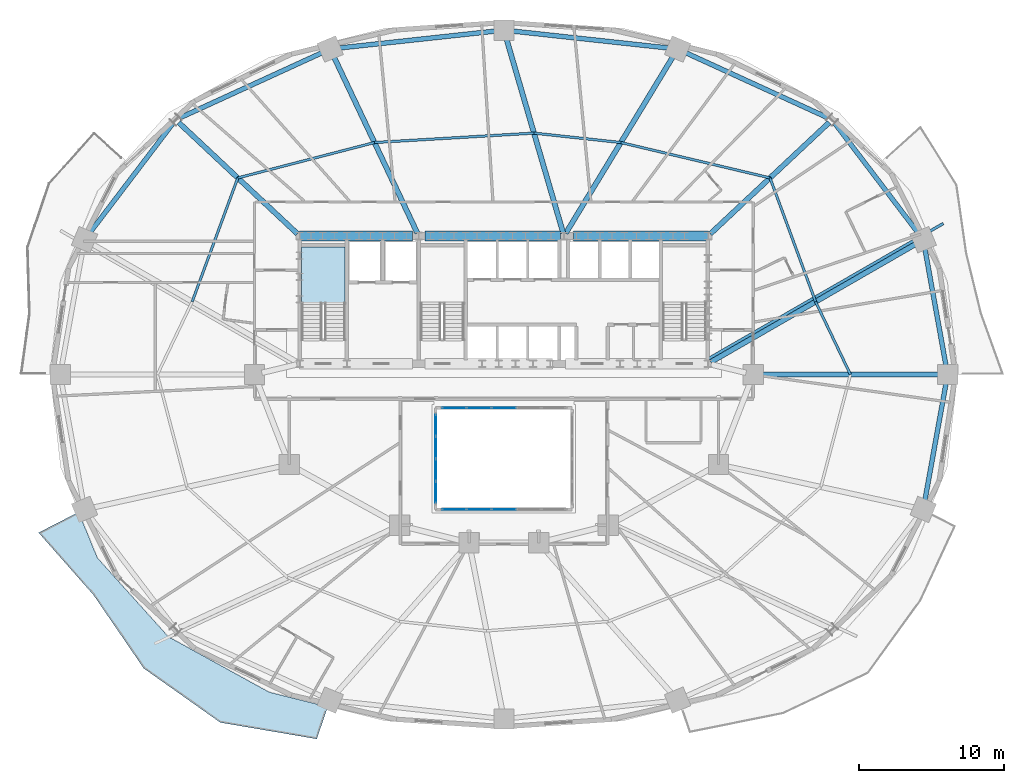
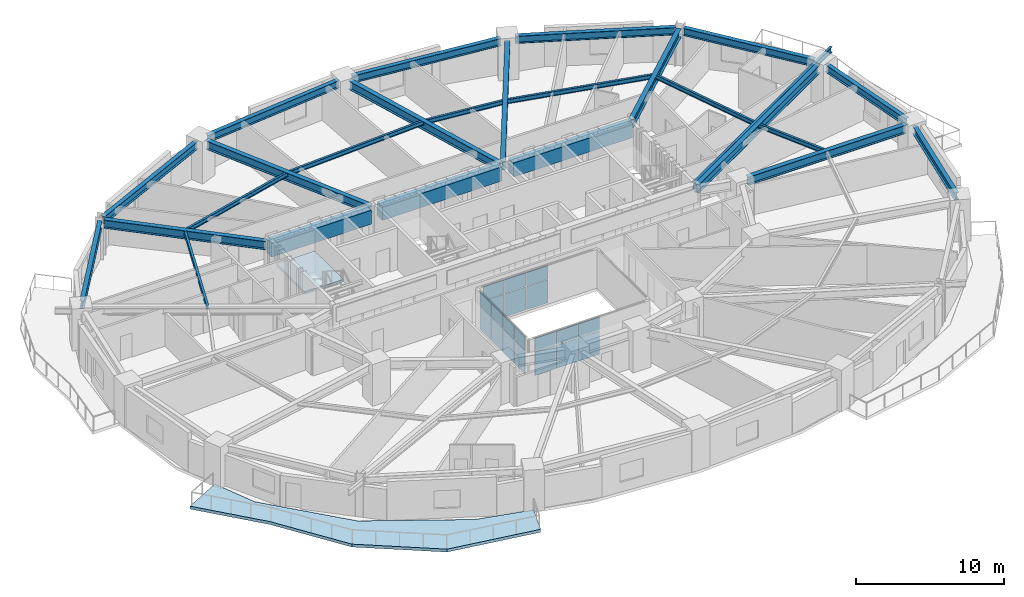
# One storey, part 7 of 17: 26 beams, 20 plates, 2 slabs, 4 elements without a shape of their own.
"""IFC4 building model written with IfcOpenShell, lengths in metres."""

import ifcopenshell
import ifcopenshell.guid

model = None  # the IFC model being written
_history = None  # IfcOwnerHistory: only IFC2X3 demands one
_inside = {}  # id of a spatial element -> (the spatial element, [elements in it])
_under = {}  # id of a project, library or spatial element -> (it, [spatial elements below it])
_declared = {}  # id of a project -> (the project, [libraries it declares])
_typed = {}  # id of a type object -> (the type object, [elements of that type])
_made_of = {}  # id of a material, layer set ... -> (it, [elements and type objects made of it])


def new_model(schema):
    """Start an empty IFC model of exactly this schema.

    Asked for "IFC4X3", IfcOpenShell would pick the latest addendum, in which some entities
    have other attributes; the version numbers below select the first issue.
    IFC2X3 requires an IfcOwnerHistory on every rooted entity: one is made here for all.
    """
    global model, _history
    if schema == "IFC4X3":
        model = ifcopenshell.file(schema_version=(4, 3, 0, 0))
    else:
        model = ifcopenshell.file(schema=schema)
    _inside.clear()
    _under.clear()
    _declared.clear()
    _typed.clear()
    _made_of.clear()
    _history = None
    if model.schema == "IFC2X3":
        org = make("IfcOrganization", Name="unknown")
        user = make(
            "IfcPersonAndOrganization",
            ThePerson=make("IfcPerson", FamilyName="unknown"),
            TheOrganization=org,
        )
        app = make(
            "IfcApplication",
            ApplicationDeveloper=org,
            Version="unknown",
            ApplicationFullName="unknown",
            ApplicationIdentifier="unknown",
        )
        _history = make(
            "IfcOwnerHistory",
            OwningUser=user,
            OwningApplication=app,
            ChangeAction="ADDED",
            CreationDate=0,
        )
    return model


def make(cls, **values):
    """One entity of the class cls with the attributes given. An attribute that is None is left unset."""
    return model.create_entity(
        cls, **{name: value for name, value in values.items() if value is not None}
    )


def rooted(cls, **values):
    """An entity with a GlobalId (a new one), such as an element, a storey or a relation."""
    return make(cls, GlobalId=ifcopenshell.guid.new(), OwnerHistory=_history, **values)


def si_unit(unit_type, name, prefix=None):
    """IfcSIUnit, for example si_unit("LENGTHUNIT", "METRE", prefix="MILLI")."""
    return make("IfcSIUnit", UnitType=unit_type, Prefix=prefix, Name=name)


def assignment(units):
    """IfcUnitAssignment: the units of a project."""
    return None if units is None else make("IfcUnitAssignment", Units=units)


def point(xyz):
    """IfcCartesianPoint."""
    return None if xyz is None else make("IfcCartesianPoint", Coordinates=xyz)


def direction(xyz):
    """IfcDirection."""
    return None if xyz is None else make("IfcDirection", DirectionRatios=xyz)


def frame(location, z_axis=None, x_axis=None):
    """IfcAxis2Placement3D, a coordinate frame: its origin and axes. An axis left out is left unset."""
    return make(
        "IfcAxis2Placement3D",
        Location=point(location),
        Axis=direction(z_axis),
        RefDirection=direction(x_axis),
    )


def frame_2d(location, x_axis=None):
    """IfcAxis2Placement2D, a coordinate frame in the plane: its origin and x axis."""
    return make(
        "IfcAxis2Placement2D", Location=point(location), RefDirection=direction(x_axis)
    )


def origin():
    """The frame at (0, 0, 0) with its axes left unset."""
    return frame((0.0, 0.0, 0.0))


def origin_2d():
    """The frame at (0, 0) in the plane with its x axis left unset."""
    return frame_2d((0.0, 0.0))


def place(relative_to, where):
    """IfcLocalPlacement: puts the frame where relative to a parent placement (None: the world)."""
    return make(
        "IfcLocalPlacement", PlacementRelTo=relative_to, RelativePlacement=where
    )


def context(
    kind, dimensions, precision=None, world=None, true_north=None, identifier=None
):
    """IfcGeometricRepresentationContext, for example the 3D "Model" context."""
    return make(
        "IfcGeometricRepresentationContext",
        ContextIdentifier=identifier,
        ContextType=kind,
        CoordinateSpaceDimension=dimensions,
        Precision=precision,
        WorldCoordinateSystem=world,
        TrueNorth=true_north,
    )


def subcontext(parent, identifier, kind, view, scale=None):
    """IfcGeometricRepresentationSubContext, for example "Body" below "Model"."""
    return make(
        "IfcGeometricRepresentationSubContext",
        ContextIdentifier=identifier,
        ContextType=kind,
        ParentContext=parent,
        TargetScale=scale,
        TargetView=view,
    )


def project(units=None, contexts=None):
    """IfcProject with its units and contexts."""
    return rooted(
        "IfcProject",
        Name="project",
        RepresentationContexts=contexts,
        UnitsInContext=assignment(units),
    )


def spatial(cls, under=None, at=None, **own):
    """A site, building, storey or space (cls), placed at a placement, below another one or the project."""
    s = rooted(cls, ObjectPlacement=at, **own)
    if under is not None:
        _under.setdefault(under.id(), (under, []))[1].append(s)
    return s


def polyline(points):
    """IfcPolyline through the points."""
    return make("IfcPolyline", Points=[point(p) for p in points])


def profile(cls, at=None, kind="AREA", **sizes):
    """A parametric profile (cls). Its sizes go by their IFC names, for example OverallWidth=200.0."""
    return make(cls, ProfileType=kind, Position=at, **sizes)


def rectangle(**sizes):
    """IfcRectangleProfileDef."""
    return profile("IfcRectangleProfileDef", **sizes)


def i_section(**sizes):
    """IfcIShapeProfileDef."""
    return profile("IfcIShapeProfileDef", **sizes)


def outline(outer, holes=None, kind="AREA"):
    """IfcArbitraryClosedProfileDef: a profile drawn as a closed curve; with holes, ...WithVoids."""
    if holes is None:
        return make("IfcArbitraryClosedProfileDef", ProfileType=kind, OuterCurve=outer)
    return make(
        "IfcArbitraryProfileDefWithVoids",
        ProfileType=kind,
        OuterCurve=outer,
        InnerCurves=holes,
    )


def extrude(swept, where, along, depth):
    """IfcExtrudedAreaSolid: the profile swept, set in the frame where, extruded along a direction by depth."""
    return make(
        "IfcExtrudedAreaSolid",
        SweptArea=swept,
        Position=where,
        ExtrudedDirection=direction(along),
        Depth=depth,
    )


def shape(context_of_items, identifier, shape_type, items):
    """IfcShapeRepresentation: the items that make up one representation, for example the "Body"."""
    return make(
        "IfcShapeRepresentation",
        ContextOfItems=context_of_items,
        RepresentationIdentifier=identifier,
        RepresentationType=shape_type,
        Items=items,
    )


def material(Name=None, Category=None):
    """IfcMaterial."""
    return make("IfcMaterial", Name=Name, Category=Category)


def layer(
    of_material, thickness, ventilated=None, Name=None, Category=None, Priority=None
):
    """IfcMaterialLayer: one layer of a wall or slab, of a material (None: an air gap)."""
    return make(
        "IfcMaterialLayer",
        Material=of_material,
        LayerThickness=thickness,
        IsVentilated=ventilated,
        Name=Name,
        Category=Category,
        Priority=Priority,
    )


def layer_set(layers, Name=None):
    """IfcMaterialLayerSet."""
    return make("IfcMaterialLayerSet", MaterialLayers=layers, LayerSetName=Name)


def material_profile(
    of_material, cross_section, Name=None, Category=None, Priority=None
):
    """IfcMaterialProfile: a cross section and its material."""
    return make(
        "IfcMaterialProfile",
        Name=Name,
        Material=of_material,
        Profile=cross_section,
        Priority=Priority,
        Category=Category,
    )


def profile_set(profiles, Name=None, composite=None):
    """IfcMaterialProfileSet."""
    return make(
        "IfcMaterialProfileSet",
        Name=Name,
        MaterialProfiles=profiles,
        CompositeProfile=composite,
    )


def made_of(thing, what):
    """Note that an element or type object is made of a material, layer set ...; save() writes the relation."""
    if what is not None:
        _made_of.setdefault(what.id(), (what, []))[1].append(thing)
    return thing


def type_object(cls, material=None, **own):
    """A type object (cls), such as IfcWallType, which elements share."""
    return made_of(rooted(cls, **own), material)


def element(
    cls,
    number,
    at=None,
    inside=None,
    cuts=None,
    type_object=None,
    material=None,
    context=None,
    identifier="Body",
    shape_type=None,
    held_by="IfcProductDefinitionShape",
    body=None,
    shapes=None,
    **own,
):
    """One element of the class cls, such as IfcWall. Its Tag is "e" and its number.

    at: its placement. inside: the storey or other place that contains it. cuts: it is an
    opening in that element (IfcRelVoidsElement). A single representation is given by context,
    identifier, shape_type and body (its items); several are given by shapes. held_by: the class
    of the entity that holds the representations. save() writes the other relations.
    """
    e = rooted(cls, Tag="e%d" % number, ObjectPlacement=at, **own)
    if body is not None:
        shapes = [shape(context, identifier, shape_type, body)]
    if shapes is not None:
        e.Representation = make(held_by, Representations=shapes)
    if inside is not None:
        _inside.setdefault(inside.id(), (inside, []))[1].append(e)
    if cuts is not None:
        rooted(
            "IfcRelVoidsElement", RelatingBuildingElement=cuts, RelatedOpeningElement=e
        )
    if type_object is not None:
        _typed.setdefault(type_object.id(), (type_object, []))[1].append(e)
    return made_of(e, material)


def aggregate(whole, parts):
    """IfcRelAggregates: a whole, such as a stair, and the parts it consists of."""
    return rooted("IfcRelAggregates", RelatingObject=whole, RelatedObjects=parts)


def save(model, path):
    """Write the relations noted so far, then the file.

    IfcRelAggregates (storeys below a building ...), IfcRelContainedInSpatialStructure (elements
    in a storey), IfcRelDefinesByType, IfcRelAssociatesMaterial and IfcRelDeclares: one each for
    every whole, place, type object, material and project.
    """
    for whole, parts in _under.values():
        aggregate(whole, parts)
    for where, things in _inside.values():
        rooted(
            "IfcRelContainedInSpatialStructure",
            RelatedElements=things,
            RelatingStructure=where,
        )
    for kind, things in _typed.values():
        rooted("IfcRelDefinesByType", RelatedObjects=things, RelatingType=kind)
    for what, things in _made_of.values():
        rooted("IfcRelAssociatesMaterial", RelatedObjects=things, RelatingMaterial=what)
    for by, libraries in _declared.values():
        rooted("IfcRelDeclares", RelatingContext=by, RelatedDefinitions=libraries)
    model.write(path)


model = new_model("IFC4")

# Units and contexts
model_context = context("Model", 3, precision=1e-05, world=origin(), true_north=direction((0.0, 1.0)))
body_context = subcontext(model_context, "Body", "Model", "MODEL_VIEW")
ifc_project = project(units=[si_unit("LENGTHUNIT", "METRE"), si_unit("AREAUNIT", "SQUARE_METRE"), si_unit("VOLUMEUNIT", "CUBIC_METRE"), si_unit("PLANEANGLEUNIT", "RADIAN"), si_unit("MASSUNIT", "GRAM", prefix="KILO")], contexts=[model_context])

# Site, building, storey
site_placement = place(None, origin())
site = spatial("IfcSite", under=ifc_project, at=site_placement, CompositionType="ELEMENT")
building_placement = place(site_placement, origin())
building = spatial("IfcBuilding", under=site, at=building_placement, Name="Haldorwick Loom Tower", CompositionType="ELEMENT")
storey_placement = place(building_placement, frame((0.0, 0.0, 65.39990234375)))
storey = spatial("IfcBuildingStorey", under=building, at=storey_placement, Name="L17", CompositionType="ELEMENT", Elevation=65.39990234375)

# Beams
ifc_material_1 = material(Name="Steel CSA G40.21 350W", Category="steel")
ifc_material_profile_1 = material_profile(ifc_material_1, i_section(OverallWidth=0.193115234375, OverallDepth=0.466064453125, WebThickness=0.011474609375, FlangeThickness=0.01904296875, at=origin_2d()), Name="W460X97", Category="steel")
ifc_profile_set_1 = profile_set([ifc_material_profile_1], Name="Steel CSA G40.21 350W")
beam_type_1 = type_object("IfcBeamType", Name="STR-BM-BAL460", PredefinedType="BEAM", material=ifc_profile_set_1)
beam_1_placement = place(storey_placement, frame((50.125244140625, 27.10498046875, 2.97705078125), z_axis=(0.866607024941, 0.49899124674, 0.0), x_axis=(-0.49899124674, 0.866607024941, 0.0)))
element("IfcBeam", 1, at=beam_1_placement, inside=storey, type_object=beam_type_1, Name="L17 Continuous Back-Spanned Balcony Beam 4", PredefinedType="BEAM", context=body_context, shape_type="SweptSolid", body=[
    extrude(i_section(OverallWidth=0.193115234375, OverallDepth=0.466064453125, WebThickness=0.011474609375, FlangeThickness=0.01904296875, at=origin_2d()), origin(), (0.0, 0.0, 1.0), 18.65771484375),
])
ifc_material_2 = material(Name="Concrete C60 (60 MPa)", Category="concrete")
ifc_material_profile_2 = material_profile(ifc_material_2, rectangle(XDim=0.699951171875, YDim=1.14990234375, at=origin_2d()), Name="RC700X1150", Category="concrete")
ifc_profile_set_2 = profile_set([ifc_material_profile_2], Name="Concrete C60 (60 MPa)")
beam_type_2 = type_object("IfcBeamType", Name="STR-BM-CB1150", PredefinedType="LINTEL", material=ifc_profile_set_2)
beam_2_placement = place(storey_placement, frame((21.89990234375, 35.550048828125, 2.635009765625), z_axis=(1.0, 0.0, 0.0), x_axis=(0.0, 1.0, 0.0)))
element("IfcBeam", 2, at=beam_2_placement, inside=storey, type_object=beam_type_2, Name="L17 Core Coupling Beam CB-N1", PredefinedType="LINTEL", context=body_context, shape_type="SweptSolid", body=[
    extrude(rectangle(XDim=0.699951171875, YDim=1.14990234375, at=origin_2d()), origin(), (0.0, 0.0, 1.0), 7.800048828125),
])
beam_3_placement = place(storey_placement, frame((30.550048828125, 35.550048828125, 2.635009765625), z_axis=(1.0, 0.0, 0.0), x_axis=(0.0, 1.0, 0.0)))
element("IfcBeam", 3, at=beam_3_placement, inside=storey, type_object=beam_type_2, Name="L17 Core Coupling Beam CB-N2", PredefinedType="LINTEL", context=body_context, shape_type="SweptSolid", body=[
    extrude(rectangle(XDim=0.699951171875, YDim=1.14990234375, at=origin_2d()), origin(), (0.0, 0.0, 1.0), 9.349853515625),
])
beam_4_placement = place(storey_placement, frame((40.800048828125, 35.550048828125, 2.635009765625), z_axis=(1.0, 0.0, 0.0), x_axis=(0.0, 1.0, 0.0)))
element("IfcBeam", 4, at=beam_4_placement, inside=storey, type_object=beam_type_2, Name="L17 Core Coupling Beam CB-N3", PredefinedType="LINTEL", context=body_context, shape_type="SweptSolid", body=[
    extrude(rectangle(XDim=0.699951171875, YDim=1.14990234375, at=origin_2d()), origin(), (0.0, 0.0, 1.0), 9.300048828125),
])
ifc_material_profile_3 = material_profile(ifc_material_1, i_section(OverallWidth=0.172119140625, OverallDepth=0.35791015625, WebThickness=0.0078125, FlangeThickness=0.01318359375, at=origin_2d()), Name="W360X57", Category="steel")
ifc_profile_set_3 = profile_set([ifc_material_profile_3], Name="Steel CSA G40.21 350W")
beam_type_3 = type_object("IfcBeamType", Name="STR-BM-J360", PredefinedType="JOIST", material=ifc_profile_set_3)
beam_5_placement = place(storey_placement, frame((59.89794921875, 26.0, 3.031005859375), z_axis=(-0.431630738849, 0.902050389546, 0.0), x_axis=(-0.902050389546, -0.431630738849, 0.0)))
element("IfcBeam", 5, at=beam_5_placement, inside=storey, type_object=beam_type_3, Name="L17 Mid-Bay Secondary Joist 1", PredefinedType="JOIST", context=body_context, shape_type="SweptSolid", body=[
    extrude(i_section(OverallWidth=0.172119140625, OverallDepth=0.35791015625, WebThickness=0.0078125, FlangeThickness=0.01318359375, at=origin_2d()), origin(), (0.0, 0.0, 1.0), 5.5703125),
])
beam_6_placement = place(storey_placement, frame((57.49365234375, 31.024658203125, 3.031005859375), z_axis=(-0.345576005762, 0.938390763084, 0.0), x_axis=(-0.938390763084, -0.345576005762, 0.0)))
element("IfcBeam", 6, at=beam_6_placement, inside=storey, type_object=beam_type_3, Name="L17 Mid-Bay Secondary Joist 2", PredefinedType="JOIST", context=body_context, shape_type="SweptSolid", body=[
    extrude(i_section(OverallWidth=0.172119140625, OverallDepth=0.35791015625, WebThickness=0.0078125, FlangeThickness=0.01318359375, at=origin_2d()), origin(), (0.0, 0.0, 1.0), 9.0966796875),
])
beam_7_placement = place(storey_placement, frame((54.35009765625, 39.560791015625, 3.031005859375), z_axis=(-0.973016191143, 0.230736845289, 0.0), x_axis=(-0.230736845289, -0.973016191143, 0.0)))
element("IfcBeam", 7, at=beam_7_placement, inside=storey, type_object=beam_type_3, Name="L17 Mid-Bay Secondary Joist 3", PredefinedType="JOIST", context=body_context, shape_type="SweptSolid", body=[
    extrude(i_section(OverallWidth=0.172119140625, OverallDepth=0.35791015625, WebThickness=0.0078125, FlangeThickness=0.01318359375, at=origin_2d()), origin(), (0.0, 0.0, 1.0), 10.5712890625),
])
beam_8_placement = place(storey_placement, frame((44.06396484375, 42.0, 3.031005859375), z_axis=(-0.994163660215, 0.107882420753, 0.0), x_axis=(-0.107882420753, -0.994163660215, 0.0)))
element("IfcBeam", 8, at=beam_8_placement, inside=storey, type_object=beam_type_3, Name="L17 Mid-Bay Secondary Joist 4", PredefinedType="JOIST", context=body_context, shape_type="SweptSolid", body=[
    extrude(i_section(OverallWidth=0.172119140625, OverallDepth=0.35791015625, WebThickness=0.0078125, FlangeThickness=0.01318359375, at=origin_2d()), origin(), (0.0, 0.0, 1.0), 6.024169921875),
])
beam_9_placement = place(storey_placement, frame((38.074951171875, 42.64990234375, 3.031005859375), z_axis=(-0.998258904552, -0.058984400336, 0.0), x_axis=(0.058984400336, -0.998258904552, 0.0)))
element("IfcBeam", 9, at=beam_9_placement, inside=storey, type_object=beam_type_3, Name="L17 Mid-Bay Secondary Joist 5", PredefinedType="JOIST", context=body_context, shape_type="SweptSolid", body=[
    extrude(i_section(OverallWidth=0.172119140625, OverallDepth=0.35791015625, WebThickness=0.0078125, FlangeThickness=0.01318359375, at=origin_2d()), origin(), (0.0, 0.0, 1.0), 11.018310546875),
])
beam_10_placement = place(storey_placement, frame((27.075927734375, 42.0, 3.031005859375), z_axis=(-0.968110955806, -0.250521809927, 0.0), x_axis=(0.250521809927, -0.968110955806, 0.0)))
element("IfcBeam", 10, at=beam_10_placement, inside=storey, type_object=beam_type_3, Name="L17 Mid-Bay Secondary Joist 6", PredefinedType="JOIST", context=body_context, shape_type="SweptSolid", body=[
    extrude(i_section(OverallWidth=0.172119140625, OverallDepth=0.35791015625, WebThickness=0.0078125, FlangeThickness=0.01318359375, at=origin_2d()), origin(), (0.0, 0.0, 1.0), 9.736572265625),
])
beam_11_placement = place(storey_placement, frame((17.64990234375, 39.560791015625, 3.031005859375), z_axis=(-0.345576005762, -0.938390763084, 0.0), x_axis=(0.938390763084, -0.345576005762, 0.0)))
element("IfcBeam", 11, at=beam_11_placement, inside=storey, type_object=beam_type_3, Name="L17 Mid-Bay Secondary Joist 7", PredefinedType="JOIST", context=body_context, shape_type="SweptSolid", body=[
    extrude(i_section(OverallWidth=0.172119140625, OverallDepth=0.35791015625, WebThickness=0.0078125, FlangeThickness=0.01318359375, at=origin_2d()), origin(), (0.0, 0.0, 1.0), 9.0966796875),
])
ifc_material_profile_4 = material_profile(ifc_material_1, i_section(OverallWidth=0.324951171875, OverallDepth=0.615966796875, WebThickness=0.013916015625, FlangeThickness=0.021484375, at=origin_2d()), Name="W610X174", Category="steel")
ifc_profile_set_4 = profile_set([ifc_material_profile_4], Name="Steel CSA G40.21 350W")
beam_type_4 = type_object("IfcBeamType", Name="STR-BM-SP610", PredefinedType="SPANDREL", material=ifc_profile_set_4)
beam_12_placement = place(storey_placement, frame((66.503662109375, 26.51171875, 2.902099609375), z_axis=(-0.177641139482, 0.984095333575, 0.0), x_axis=(-0.984095333575, -0.177641139482, 0.0)))
element("IfcBeam", 12, at=beam_12_placement, inside=storey, type_object=beam_type_4, Name="L17 Perimeter Spandrel 1", PredefinedType="SPANDREL", context=body_context, shape_type="SweptSolid", body=[
    extrude(i_section(OverallWidth=0.324951171875, OverallDepth=0.615966796875, WebThickness=0.013916015625, FlangeThickness=0.021484375, at=origin_2d()), origin(), (0.0, 0.0, 1.0), 8.40966796875),
])
beam_13_placement = place(storey_placement, frame((64.602783203125, 35.713134765625, 2.902099609375), z_axis=(-0.605084557744, 0.796161213562, 0.0), x_axis=(-0.796161213562, -0.605084557744, 0.0)))
element("IfcBeam", 13, at=beam_13_placement, inside=storey, type_object=beam_type_4, Name="L17 Perimeter Spandrel 2", PredefinedType="SPANDREL", context=body_context, shape_type="SweptSolid", body=[
    extrude(i_section(OverallWidth=0.324951171875, OverallDepth=0.615966796875, WebThickness=0.013916015625, FlangeThickness=0.021484375, at=origin_2d()), origin(), (0.0, 0.0, 1.0), 9.595703125),
])
beam_14_placement = place(storey_placement, frame((58.380126953125, 43.68603515625, 2.902099609375), z_axis=(-0.909173805321, 0.416416848504, 0.0), x_axis=(-0.416416848504, -0.909173805321, 0.0)))
element("IfcBeam", 14, at=beam_14_placement, inside=storey, type_object=beam_type_4, Name="L17 Perimeter Spandrel 3", PredefinedType="SPANDREL", context=body_context, shape_type="SweptSolid", body=[
    extrude(i_section(OverallWidth=0.324951171875, OverallDepth=0.615966796875, WebThickness=0.013916015625, FlangeThickness=0.021484375, at=origin_2d()), origin(), (0.0, 0.0, 1.0), 10.92138671875),
])
for number, where, z_axis, x_axis, name in (
    (15, (47.4609375, 48.50634765625, 2.902099609375), (-0.994164438636, 0.107875247167, 0.0), (-0.107875247167, -0.994164438636, 0.0), "L17 Perimeter Spandrel 4"),
    (16, (35.48291015625, 49.69384765625, 2.902099609375), (-0.994164438636, -0.107875247167, 0.0), (0.107875247167, -0.994164438636, 0.0), "L17 Perimeter Spandrel 5"),
):
    element("IfcBeam", number, at=place(storey_placement, frame(where, z_axis=z_axis, x_axis=x_axis)), inside=storey, type_object=beam_type_4, Name=name, PredefinedType="SPANDREL", context=body_context, shape_type="SweptSolid", body=[
        extrude(i_section(OverallWidth=0.324951171875, OverallDepth=0.615966796875, WebThickness=0.013916015625, FlangeThickness=0.021484375, at=origin_2d()), origin(), (0.0, 0.0, 1.0), 11.008056640625),
    ])
beam_15_placement = place(storey_placement, frame((23.54931640625, 48.23388671875, 2.902099609375), z_axis=(-0.909173805321, -0.416416848504, 0.0), x_axis=(0.416416848504, -0.909173805321, 0.0)))
element("IfcBeam", 17, at=beam_15_placement, inside=storey, type_object=beam_type_4, Name="L17 Perimeter Spandrel 6", PredefinedType="SPANDREL", context=body_context, shape_type="SweptSolid", body=[
    extrude(i_section(OverallWidth=0.324951171875, OverallDepth=0.615966796875, WebThickness=0.013916015625, FlangeThickness=0.021484375, at=origin_2d()), origin(), (0.0, 0.0, 1.0), 10.92138671875),
])
beam_16_placement = place(storey_placement, frame((13.203369140625, 43.352783203125, 2.902099609375), z_axis=(-0.605084557744, -0.796161213562, 0.0), x_axis=(0.796161213562, -0.605084557744, 0.0)))
element("IfcBeam", 18, at=beam_16_placement, inside=storey, type_object=beam_type_4, Name="L17 Perimeter Spandrel 7", PredefinedType="SPANDREL", context=body_context, shape_type="SweptSolid", body=[
    extrude(i_section(OverallWidth=0.324951171875, OverallDepth=0.615966796875, WebThickness=0.013916015625, FlangeThickness=0.021484375, at=origin_2d()), origin(), (0.0, 0.0, 1.0), 9.595703125),
])
beam_17_placement = place(storey_placement, frame((65.009765625, 17.21240234375, 2.902099609375), z_axis=(0.177641139482, 0.984095333575, 0.0), x_axis=(-0.984095333575, 0.177641139482, 0.0)))
element("IfcBeam", 19, at=beam_17_placement, inside=storey, type_object=beam_type_4, Name="L17 Perimeter Spandrel 16", PredefinedType="SPANDREL", context=body_context, shape_type="SweptSolid", body=[
    extrude(i_section(OverallWidth=0.324951171875, OverallDepth=0.615966796875, WebThickness=0.013916015625, FlangeThickness=0.021484375, at=origin_2d()), origin(), (0.0, 0.0, 1.0), 8.40966796875),
])
ifc_material_profile_5 = material_profile(ifc_material_1, i_section(OverallWidth=0.35498046875, OverallDepth=0.695068359375, WebThickness=0.015380859375, FlangeThickness=0.02490234375, at=origin_2d()), Name="W690X217", Category="steel")
ifc_profile_set_5 = profile_set([ifc_material_profile_5], Name="Steel CSA G40.21 350W")
beam_type_5 = type_object("IfcBeamType", Name="STR-BM-W690", PredefinedType="BEAM", material=ifc_profile_set_5)
beam_18_placement = place(storey_placement, frame((53.719970703125, 26.0, 2.862548828125), z_axis=(1.0, 0.0, 0.0), x_axis=(0.0, 1.0, 0.0)))
element("IfcBeam", 20, at=beam_18_placement, inside=storey, type_object=beam_type_5, Name="L17 Radial Floor Girder 1", PredefinedType="BEAM", context=body_context, shape_type="SweptSolid", body=[
    extrude(i_section(OverallWidth=0.35498046875, OverallDepth=0.695068359375, WebThickness=0.015380859375, FlangeThickness=0.02490234375, at=origin_2d()), origin(), (0.0, 0.0, 1.0), 12.35595703125),
])
beam_19_placement = place(storey_placement, frame((50.264892578125, 26.8623046875, 2.862548828125), z_axis=(0.86660566838, 0.498993602696, 0.0), x_axis=(-0.498993602696, 0.86660566838, 0.0)))
element("IfcBeam", 21, at=beam_19_placement, inside=storey, type_object=beam_type_5, Name="L17 Radial Floor Girder 2", PredefinedType="BEAM", context=body_context, shape_type="SweptSolid", body=[
    extrude(i_section(OverallWidth=0.35498046875, OverallDepth=0.695068359375, WebThickness=0.015380859375, FlangeThickness=0.02490234375, at=origin_2d()), origin(), (0.0, 0.0, 1.0), 16.387939453125),
])
beam_20_placement = place(storey_placement, frame((50.234130859375, 35.703857421875, 2.862548828125), z_axis=(0.729689033278, 0.683779141766, 0.0), x_axis=(-0.683779141766, 0.729689033278, 0.0)))
element("IfcBeam", 22, at=beam_20_placement, inside=storey, type_object=beam_type_5, Name="L17 Radial Floor Girder 3", PredefinedType="BEAM", context=body_context, shape_type="SweptSolid", body=[
    extrude(i_section(OverallWidth=0.35498046875, OverallDepth=0.695068359375, WebThickness=0.015380859375, FlangeThickness=0.02490234375, at=origin_2d()), origin(), (0.0, 0.0, 1.0), 11.231201171875),
])
beam_21_placement = place(storey_placement, frame((40.2666015625, 35.742431640625, 2.862548828125), z_axis=(0.518781813409, 0.854906679162, 0.0), x_axis=(-0.854906679162, 0.518781813409, 0.0)))
element("IfcBeam", 23, at=beam_21_placement, inside=storey, type_object=beam_type_5, Name="L17 Radial Floor Girder 4", PredefinedType="BEAM", context=body_context, shape_type="SweptSolid", body=[
    extrude(i_section(OverallWidth=0.35498046875, OverallDepth=0.695068359375, WebThickness=0.015380859375, FlangeThickness=0.02490234375, at=origin_2d()), origin(), (0.0, 0.0, 1.0), 14.344482421875),
])
beam_22_placement = place(storey_placement, frame((40.0869140625, 35.76611328125, 2.862548828125), z_axis=(-0.28051378914, 0.959849995625, 0.0), x_axis=(-0.959849995625, -0.28051378914, 0.0)))
element("IfcBeam", 24, at=beam_22_placement, inside=storey, type_object=beam_type_5, Name="L17 Radial Floor Girder 5", PredefinedType="BEAM", context=body_context, shape_type="SweptSolid", body=[
    extrude(i_section(OverallWidth=0.35498046875, OverallDepth=0.695068359375, WebThickness=0.015380859375, FlangeThickness=0.02490234375, at=origin_2d()), origin(), (0.0, 0.0, 1.0), 14.048828125),
])
beam_23_placement = place(storey_placement, frame((30.03369140625, 35.75341796875, 2.862548828125), z_axis=(-0.427945149389, 0.903804707398, 0.0), x_axis=(-0.903804707398, -0.427945149389, 0.0)))
element("IfcBeam", 25, at=beam_23_placement, inside=storey, type_object=beam_type_5, Name="L17 Radial Floor Girder 6", PredefinedType="BEAM", context=body_context, shape_type="SweptSolid", body=[
    extrude(i_section(OverallWidth=0.35498046875, OverallDepth=0.695068359375, WebThickness=0.015380859375, FlangeThickness=0.02490234375, at=origin_2d()), origin(), (0.0, 0.0, 1.0), 13.528076171875),
])
beam_24_placement = place(storey_placement, frame((21.765869140625, 35.703857421875, 2.862548828125), z_axis=(-0.729689033278, 0.683779141766, 0.0), x_axis=(-0.683779141766, -0.729689033278, 0.0)))
element("IfcBeam", 26, at=beam_24_placement, inside=storey, type_object=beam_type_5, Name="L17 Radial Floor Girder 7", PredefinedType="BEAM", context=body_context, shape_type="SweptSolid", body=[
    extrude(i_section(OverallWidth=0.35498046875, OverallDepth=0.695068359375, WebThickness=0.015380859375, FlangeThickness=0.02490234375, at=origin_2d()), origin(), (0.0, 0.0, 1.0), 11.231201171875),
])

# Curtain wall, plates
ifc_material_3 = material(Name="Thermally Broken Anodized Aluminium Curtain Wall Framing", Category="aluminium")
curtain_wall_type = type_object("IfcCurtainWallType", Name="ARC-CW-03", PredefinedType="NOTDEFINED", material=ifc_material_3)
curtain_wall_1_placement = place(storey_placement, origin())
curtain_wall_1 = element("IfcCurtainWall", 27, at=curtain_wall_1_placement, inside=storey, type_object=curtain_wall_type, Name="L17 Atrium Glazed Screen S", PredefinedType="NOTDEFINED")
ifc_material_4 = material(Name="Triple-Glazed Low-E Argon Insulated Glazing Unit", Category="glass")
ifc_layer_1 = layer(ifc_material_4, 0.04296875, Name="Triple-Glazed Low-E Argon Insulated Glazing Unit", Category="glass")
ifc_layer_set_1 = layer_set([ifc_layer_1], Name="Triple-Glazed Low-E Argon Insulated Glazing Unit")
plate_type = type_object("IfcPlateType", Name="ARC-CWP-03", PredefinedType="CURTAIN_PANEL", material=ifc_layer_set_1)
plate_1_placement = place(storey_placement, frame((36.0, 16.699951171875, 0.066162109375), z_axis=(0.0, 0.0, 1.0), x_axis=(-1.0, 0.0, 0.0)))
plate_1 = element("IfcPlate", 28, at=plate_1_placement, type_object=plate_type, Name="CW-03 panel 3.1", PredefinedType="CURTAIN_PANEL", context=body_context, shape_type="SweptSolid", body=[
    extrude(rectangle(XDim=1.654052734375, YDim=0.04296875, at=origin_2d()), origin(), (0.0, 0.0, 1.0), 1.90087890625),
])
plate_2_placement = place(storey_placement, frame((36.0, 16.699951171875, 2.033203125), z_axis=(0.0, 0.0, 1.0), x_axis=(-1.0, 0.0, 0.0)))
plate_2 = element("IfcPlate", 29, at=plate_2_placement, type_object=plate_type, Name="CW-03 panel 3.2", PredefinedType="CURTAIN_PANEL", context=body_context, shape_type="SweptSolid", body=[
    extrude(rectangle(XDim=1.654052734375, YDim=0.04296875, at=origin_2d()), origin(), (0.0, 0.0, 1.0), 1.111083984375),
])
plate_3_placement = place(storey_placement, frame((34.280029296875, 16.699951171875, 0.066162109375), z_axis=(0.0, 0.0, 1.0), x_axis=(-1.0, 0.0, 0.0)))
plate_3 = element("IfcPlate", 30, at=plate_3_placement, type_object=plate_type, Name="CW-03 panel 4.1", PredefinedType="CURTAIN_PANEL", context=body_context, shape_type="SweptSolid", body=[
    extrude(rectangle(XDim=1.654052734375, YDim=0.04296875, at=origin_2d()), origin(), (0.0, 0.0, 1.0), 1.90087890625),
])
plate_4_placement = place(storey_placement, frame((34.280029296875, 16.699951171875, 2.033203125), z_axis=(0.0, 0.0, 1.0), x_axis=(-1.0, 0.0, 0.0)))
plate_4 = element("IfcPlate", 31, at=plate_4_placement, type_object=plate_type, Name="CW-03 panel 4.2", PredefinedType="CURTAIN_PANEL", context=body_context, shape_type="SweptSolid", body=[
    extrude(rectangle(XDim=1.654052734375, YDim=0.04296875, at=origin_2d()), origin(), (0.0, 0.0, 1.0), 1.111083984375),
])
plate_5_placement = place(storey_placement, frame((32.576416015625, 16.699951171875, 0.066162109375), z_axis=(0.0, 0.0, 1.0), x_axis=(-1.0, 0.0, 0.0)))
plate_5 = element("IfcPlate", 32, at=plate_5_placement, type_object=plate_type, Name="CW-03 panel 5.1", PredefinedType="CURTAIN_PANEL", context=body_context, shape_type="SweptSolid", body=[
    extrude(rectangle(XDim=1.62109375, YDim=0.04296875, at=origin_2d()), origin(), (0.0, 0.0, 1.0), 1.90087890625),
])
plate_6_placement = place(storey_placement, frame((32.576416015625, 16.699951171875, 2.033203125), z_axis=(0.0, 0.0, 1.0), x_axis=(-1.0, 0.0, 0.0)))
plate_6 = element("IfcPlate", 33, at=plate_6_placement, type_object=plate_type, Name="CW-03 panel 5.2", PredefinedType="CURTAIN_PANEL", context=body_context, shape_type="SweptSolid", body=[
    extrude(rectangle(XDim=1.62109375, YDim=0.04296875, at=origin_2d()), origin(), (0.0, 0.0, 1.0), 1.111083984375),
])
aggregate(curtain_wall_1, [plate_1, plate_2, plate_3, plate_4, plate_5, plate_6])

curtain_wall_2_placement = place(storey_placement, origin())
curtain_wall_2 = element("IfcCurtainWall", 34, at=curtain_wall_2_placement, inside=storey, type_object=curtain_wall_type, Name="L17 Atrium Glazed Screen N", PredefinedType="NOTDEFINED")
plate_7_placement = place(storey_placement, frame((32.576416015625, 23.699951171875, 0.066162109375), z_axis=(0.0, 0.0, 1.0), x_axis=(1.0, 0.0, 0.0)))
plate_7 = element("IfcPlate", 35, at=plate_7_placement, type_object=plate_type, Name="CW-03 panel 1.1", PredefinedType="CURTAIN_PANEL", context=body_context, shape_type="SweptSolid", body=[
    extrude(rectangle(XDim=1.62109375, YDim=0.04296875, at=origin_2d()), origin(), (0.0, 0.0, 1.0), 1.90087890625),
])
plate_8_placement = place(storey_placement, frame((32.576416015625, 23.699951171875, 2.033203125), z_axis=(0.0, 0.0, 1.0), x_axis=(1.0, 0.0, 0.0)))
plate_8 = element("IfcPlate", 36, at=plate_8_placement, type_object=plate_type, Name="CW-03 panel 1.2", PredefinedType="CURTAIN_PANEL", context=body_context, shape_type="SweptSolid", body=[
    extrude(rectangle(XDim=1.62109375, YDim=0.04296875, at=origin_2d()), origin(), (0.0, 0.0, 1.0), 1.111083984375),
])
plate_9_placement = place(storey_placement, frame((34.280029296875, 23.699951171875, 0.066162109375), z_axis=(0.0, 0.0, 1.0), x_axis=(1.0, 0.0, 0.0)))
plate_9 = element("IfcPlate", 37, at=plate_9_placement, type_object=plate_type, Name="CW-03 panel 2.1", PredefinedType="CURTAIN_PANEL", context=body_context, shape_type="SweptSolid", body=[
    extrude(rectangle(XDim=1.654052734375, YDim=0.04296875, at=origin_2d()), origin(), (0.0, 0.0, 1.0), 1.90087890625),
])
plate_10_placement = place(storey_placement, frame((34.280029296875, 23.699951171875, 2.033203125), z_axis=(0.0, 0.0, 1.0), x_axis=(1.0, 0.0, 0.0)))
plate_10 = element("IfcPlate", 38, at=plate_10_placement, type_object=plate_type, Name="CW-03 panel 2.2", PredefinedType="CURTAIN_PANEL", context=body_context, shape_type="SweptSolid", body=[
    extrude(rectangle(XDim=1.654052734375, YDim=0.04296875, at=origin_2d()), origin(), (0.0, 0.0, 1.0), 1.111083984375),
])
plate_11_placement = place(storey_placement, frame((36.0, 23.699951171875, 0.066162109375), z_axis=(0.0, 0.0, 1.0), x_axis=(1.0, 0.0, 0.0)))
plate_11 = element("IfcPlate", 39, at=plate_11_placement, type_object=plate_type, Name="CW-03 panel 3.1", PredefinedType="CURTAIN_PANEL", context=body_context, shape_type="SweptSolid", body=[
    extrude(rectangle(XDim=1.654052734375, YDim=0.04296875, at=origin_2d()), origin(), (0.0, 0.0, 1.0), 1.90087890625),
])
plate_12_placement = place(storey_placement, frame((36.0, 23.699951171875, 2.033203125), z_axis=(0.0, 0.0, 1.0), x_axis=(1.0, 0.0, 0.0)))
plate_12 = element("IfcPlate", 40, at=plate_12_placement, type_object=plate_type, Name="CW-03 panel 3.2", PredefinedType="CURTAIN_PANEL", context=body_context, shape_type="SweptSolid", body=[
    extrude(rectangle(XDim=1.654052734375, YDim=0.04296875, at=origin_2d()), origin(), (0.0, 0.0, 1.0), 1.111083984375),
])
aggregate(curtain_wall_2, [plate_7, plate_8, plate_9, plate_10, plate_11, plate_12])

curtain_wall_3_placement = place(storey_placement, origin())
curtain_wall_3 = element("IfcCurtainWall", 41, at=curtain_wall_3_placement, inside=storey, type_object=curtain_wall_type, Name="L17 Atrium Glazed Screen W", PredefinedType="NOTDEFINED")
plate_13_placement = place(storey_placement, frame((31.300048828125, 17.8916015625, 0.066162109375), z_axis=(0.0, 0.0, 1.0), x_axis=(0.0, 1.0, 0.0)))
plate_13 = element("IfcPlate", 42, at=plate_13_placement, type_object=plate_type, Name="CW-03 panel 1.1", PredefinedType="CURTAIN_PANEL", context=body_context, shape_type="SweptSolid", body=[
    extrude(rectangle(XDim=1.450927734375, YDim=0.04296875, at=origin_2d()), origin(), (0.0, 0.0, 1.0), 1.90087890625),
])
plate_14_placement = place(storey_placement, frame((31.300048828125, 17.8916015625, 2.033203125), z_axis=(0.0, 0.0, 1.0), x_axis=(0.0, 1.0, 0.0)))
plate_14 = element("IfcPlate", 43, at=plate_14_placement, type_object=plate_type, Name="CW-03 panel 1.2", PredefinedType="CURTAIN_PANEL", context=body_context, shape_type="SweptSolid", body=[
    extrude(rectangle(XDim=1.450927734375, YDim=0.04296875, at=origin_2d()), origin(), (0.0, 0.0, 1.0), 1.111083984375),
])
plate_15_placement = place(storey_placement, frame((31.300048828125, 19.425048828125, 0.066162109375), z_axis=(0.0, 0.0, 1.0), x_axis=(0.0, 1.0, 0.0)))
plate_15 = element("IfcPlate", 44, at=plate_15_placement, type_object=plate_type, Name="CW-03 panel 2.1", PredefinedType="CURTAIN_PANEL", context=body_context, shape_type="SweptSolid", body=[
    extrude(rectangle(XDim=1.48388671875, YDim=0.04296875, at=origin_2d()), origin(), (0.0, 0.0, 1.0), 1.90087890625),
])
plate_16_placement = place(storey_placement, frame((31.300048828125, 19.425048828125, 2.033203125), z_axis=(0.0, 0.0, 1.0), x_axis=(0.0, 1.0, 0.0)))
plate_16 = element("IfcPlate", 45, at=plate_16_placement, type_object=plate_type, Name="CW-03 panel 2.2", PredefinedType="CURTAIN_PANEL", context=body_context, shape_type="SweptSolid", body=[
    extrude(rectangle(XDim=1.48388671875, YDim=0.04296875, at=origin_2d()), origin(), (0.0, 0.0, 1.0), 1.111083984375),
])
plate_17_placement = place(storey_placement, frame((31.300048828125, 20.97509765625, 0.066162109375), z_axis=(0.0, 0.0, 1.0), x_axis=(0.0, 1.0, 0.0)))
plate_17 = element("IfcPlate", 46, at=plate_17_placement, type_object=plate_type, Name="CW-03 panel 3.1", PredefinedType="CURTAIN_PANEL", context=body_context, shape_type="SweptSolid", body=[
    extrude(rectangle(XDim=1.48388671875, YDim=0.04296875, at=origin_2d()), origin(), (0.0, 0.0, 1.0), 1.90087890625),
])
plate_18_placement = place(storey_placement, frame((31.300048828125, 20.97509765625, 2.033203125), z_axis=(0.0, 0.0, 1.0), x_axis=(0.0, 1.0, 0.0)))
plate_18 = element("IfcPlate", 47, at=plate_18_placement, type_object=plate_type, Name="CW-03 panel 3.2", PredefinedType="CURTAIN_PANEL", context=body_context, shape_type="SweptSolid", body=[
    extrude(rectangle(XDim=1.48388671875, YDim=0.04296875, at=origin_2d()), origin(), (0.0, 0.0, 1.0), 1.111083984375),
])
plate_19_placement = place(storey_placement, frame((31.300048828125, 22.508544921875, 0.066162109375), z_axis=(0.0, 0.0, 1.0), x_axis=(0.0, 1.0, 0.0)))
plate_19 = element("IfcPlate", 48, at=plate_19_placement, type_object=plate_type, Name="CW-03 panel 4.1", PredefinedType="CURTAIN_PANEL", context=body_context, shape_type="SweptSolid", body=[
    extrude(rectangle(XDim=1.450927734375, YDim=0.04296875, at=origin_2d()), origin(), (0.0, 0.0, 1.0), 1.90087890625),
])
plate_20_placement = place(storey_placement, frame((31.300048828125, 22.508544921875, 2.033203125), z_axis=(0.0, 0.0, 1.0), x_axis=(0.0, 1.0, 0.0)))
plate_20 = element("IfcPlate", 49, at=plate_20_placement, type_object=plate_type, Name="CW-03 panel 4.2", PredefinedType="CURTAIN_PANEL", context=body_context, shape_type="SweptSolid", body=[
    extrude(rectangle(XDim=1.450927734375, YDim=0.04296875, at=origin_2d()), origin(), (0.0, 0.0, 1.0), 1.111083984375),
])
aggregate(curtain_wall_3, [plate_13, plate_14, plate_15, plate_16, plate_17, plate_18, plate_19, plate_20])

# Slab
ifc_material_5 = material(Name="Concrete C40 (40 MPa)", Category="concrete")
ifc_layer_2 = layer(ifc_material_5, 0.239990234375, Name="Concrete C40 (40 MPa)", Category="concrete")
ifc_layer_set_2 = layer_set([ifc_layer_2], Name="Concrete C40 (40 MPa)")
slab_type_1 = type_object("IfcSlabType", Name="STR-SLB-BAL240", PredefinedType="FLOOR", material=ifc_layer_set_2)
slab_1_placement = place(storey_placement, frame((0.0, 0.0, -0.239990234375)))
element("IfcSlab", 50, at=slab_1_placement, inside=storey, type_object=slab_type_1, Name="L17 Sinusoidal Balcony Terrace BAL_SW", PredefinedType="FLOOR", context=body_context, shape_type="SweptSolid", body=[
    extrude(outline(polyline([(23.847412109375, 3.09130859375), (19.8203125, 4.0966796875), (19.819091796875, 4.096923828125), (19.81787109375, 4.097412109375), (19.81689453125, 4.09814453125), (12.86767578125, 7.92041015625), (12.8662109375, 7.921142578125), (12.86474609375, 7.922119140625), (12.86376953125, 7.92333984375), (7.97119140625, 13.3525390625), (7.97021484375, 13.353515625), (7.969482421875, 13.3544921875), (7.968994140625, 13.355712890625), (7.968505859375, 13.356689453125), (6.675537109375, 16.517333984375), (3.916259765625, 15.09716796875), (7.701904296875, 10.80224609375), (11.1640625, 5.743896484375), (16.441162109375, 2.0087890625), (23.09716796875, 0.873046875), (23.847412109375, 3.09130859375)])), origin(), (0.0, 0.0, 1.0), 0.239990234375),
])

# Stair, slab
stair_type = type_object("IfcStairType", Name="STR-STR-CORE", PredefinedType="HALF_TURN_STAIR", material=ifc_material_5)
stair_placement = place(storey_placement, origin())
stair = element("IfcStair", 51, at=stair_placement, inside=storey, type_object=stair_type, Name="L17 Exit Stair ST-01", PredefinedType="HALF_TURN_STAIR")
ifc_layer_3 = layer(ifc_material_5, 0.199951171875, Name="Concrete C40 (40 MPa)", Category="concrete")
ifc_layer_set_3 = layer_set([ifc_layer_3], Name="Concrete C40 (40 MPa)")
slab_type_2 = type_object("IfcSlabType", Name="STR-SLB-LAND200", PredefinedType="LANDING", material=ifc_layer_set_3)
slab_2_placement = place(storey_placement, frame((0.0, 0.0, 1.525146484375)))
slab_2 = element("IfcSlab", 52, at=slab_2_placement, type_object=slab_type_2, Name="ST-01 landing 1", PredefinedType="LANDING", context=body_context, shape_type="SweptSolid", body=[
    extrude(outline(polyline([(25.050048828125, 30.919921875), (25.050048828125, 34.800048828125), (22.050048828125, 34.800048828125), (22.050048828125, 30.919921875), (25.050048828125, 30.919921875)])), origin(), (0.0, 0.0, 1.0), 0.199951171875),
])
aggregate(stair, [slab_2])

save(model, "model.ifc")
